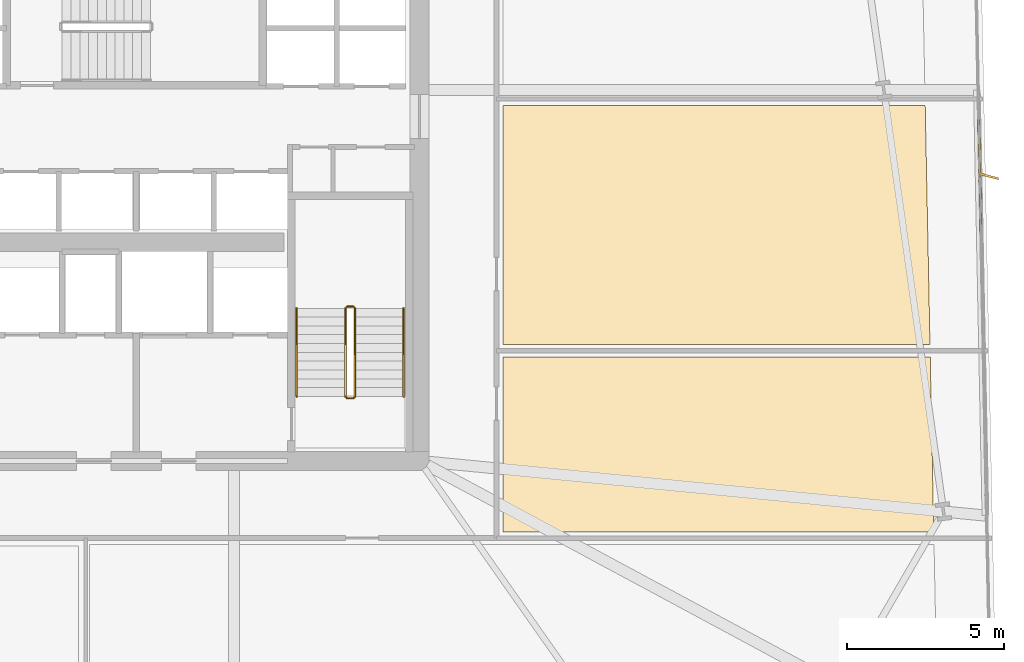
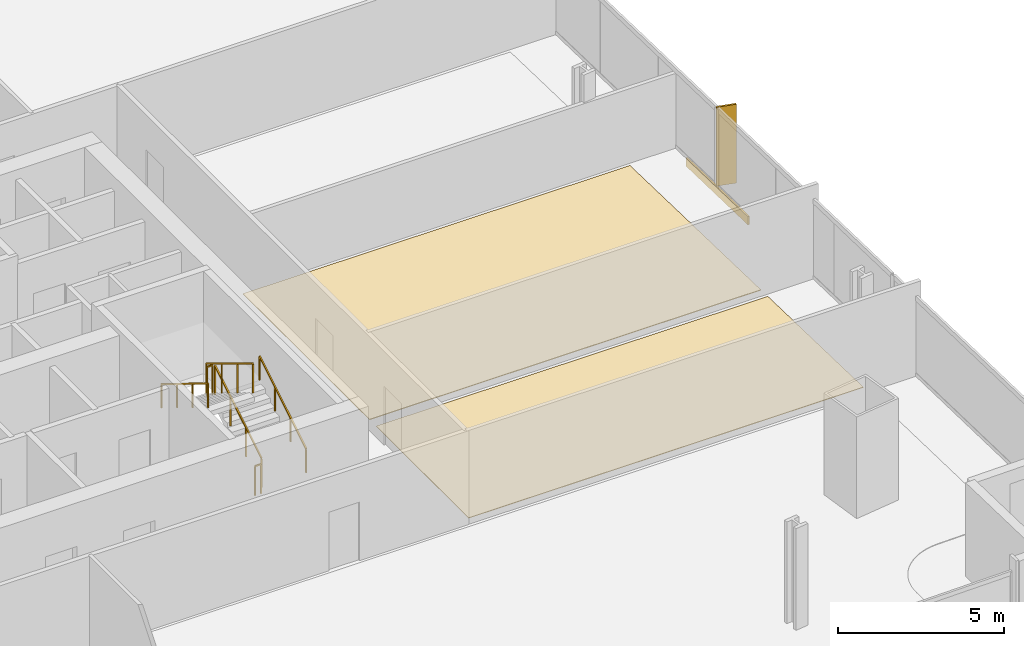
# One storey, part 34 of 35: 6 railings, 3 coverings, 1 shading device.
"""IFC4 building model written with IfcOpenShell, lengths in metres."""

from ifc_helpers import new_model, si_unit, direction, frame, origin, origin_2d, place, context, subcontext, project, spatial, polyline, rectangle, outline, extrude, source, transform, mapped, material, layer, layer_set, type_object, element, save


model = new_model("IFC4")

# Units and contexts
model_context = context("Model", 3, precision=1e-05, world=origin(), true_north=direction((0.0, 1.0)))
body_context = subcontext(model_context, "Body", "Model", "MODEL_VIEW")
ifc_project = project(units=[si_unit("LENGTHUNIT", "METRE"), si_unit("AREAUNIT", "SQUARE_METRE"), si_unit("VOLUMEUNIT", "CUBIC_METRE"), si_unit("PLANEANGLEUNIT", "RADIAN"), si_unit("MASSUNIT", "GRAM", prefix="KILO")], contexts=[model_context])

# Site, building, storey
site_placement = place(None, origin())
site = spatial("IfcSite", under=ifc_project, at=site_placement, CompositionType="ELEMENT")
building_placement = place(site_placement, origin())
building = spatial("IfcBuilding", under=site, at=building_placement, Name="Haldenkirk Collegiate Tower", CompositionType="ELEMENT")
storey_placement = place(building_placement, frame((0.0, 0.0, 32.699951171875)))
storey = spatial("IfcBuildingStorey", under=building, at=storey_placement, Name="L06", CompositionType="ELEMENT", Elevation=32.699951171875)

# Coverings
ifc_material_1 = material(Name="Polished collegiate terrazzo", Category="concrete")
ifc_layer_1 = layer(ifc_material_1, 0.02490234375)
ifc_layer_set_1 = layer_set([ifc_layer_1], Name="Polished collegiate terrazzo")
covering_type_1 = type_object("IfcCoveringType", Name="COV-FLOOR-TERRAZZO", PredefinedType="FLOORING", material=ifc_layer_set_1)
covering_1_placement = place(storey_placement, origin())
element("IfcCovering", 1, at=covering_1_placement, inside=storey, type_object=covering_type_1, Name="L06 academic room finish 10", PredefinedType="FLOORING", context=body_context, shape_type="SweptSolid", body=[
    extrude(outline(polyline([(61.221435546875, 21.699951171875), (47.64990234375, 21.699951171875), (47.64990234375, 29.300048828125), (61.06884765625, 29.300048828125), (61.221435546875, 21.699951171875)])), origin(), (0.0, 0.0, 1.0), 0.025146484375),
])
ifc_material_2 = material(Name="Engineered collegiate oak acoustic flooring", Category="wood")
ifc_layer_2 = layer(ifc_material_2, 0.02197265625)
ifc_layer_set_2 = layer_set([ifc_layer_2], Name="Engineered collegiate oak acoustic flooring")
covering_type_2 = type_object("IfcCoveringType", Name="COV-FLOOR-TIMBER", PredefinedType="FLOORING", material=ifc_layer_set_2)
covering_2_placement = place(storey_placement, origin())
element("IfcCovering", 2, at=covering_2_placement, inside=storey, type_object=covering_type_2, Name="L06 academic room finish 09", PredefinedType="FLOORING", context=body_context, shape_type="SweptSolid", body=[
    extrude(outline(polyline([(61.3408203125, 15.75), (47.64990234375, 15.75), (47.64990234375, 21.300048828125), (61.2294921875, 21.300048828125), (61.3408203125, 15.75)])), origin(), (0.0, 0.0, 1.0), 0.02197265625),
])

# Railings
ifc_material_3 = material(Name="Painted architectural tubular steel", Category="steel")
railing_type_1 = type_object("IfcRailingType", Name="RLG-STAIR-GUARD-1100", PredefinedType="BALUSTRADE", material=ifc_material_3)
railing_1_placement = place(storey_placement, frame((42.949951171875, 20.050048828125, 0.17041015625)))
element("IfcRailing", 3, at=railing_1_placement, inside=storey, type_object=railing_type_1, Name="L06 ST-2 stair guard 1", PredefinedType="BALUSTRADE", context=body_context, shape_type="SweptSolid", body=[
    extrude(rectangle(XDim=0.048095703125, YDim=0.048095703125, at=origin_2d()), frame((0.0, 0.0, 1.076171875), z_axis=(0.0, 0.854169791009, 0.51999420009), x_axis=(-1.0, 0.0, 0.0)), (0.0, 0.0, 1.0), 3.278076171875),
    extrude(rectangle(XDim=0.0419921875, YDim=0.0419921875, at=origin_2d()), origin(), (0.0, 0.0, 1.0), 1.052001953125),
    extrude(rectangle(XDim=0.0419921875, YDim=0.0419921875, at=origin_2d()), frame((0.0, 0.933349609375, 0.568115234375)), (0.0, 0.0, 1.0), 1.052001953125),
    extrude(rectangle(XDim=0.0419921875, YDim=0.0419921875, at=origin_2d()), frame((0.0, 1.86669921875, 1.136474609375)), (0.0, 0.0, 1.0), 1.052001953125),
    extrude(rectangle(XDim=0.0419921875, YDim=0.0419921875, at=origin_2d()), frame((0.0, 2.800048828125, 1.70458984375)), (0.0, 0.0, 1.0), 1.052001953125),
])
railing_2_placement = place(storey_placement, frame((42.89990234375, 22.89990234375, 1.875)))
element("IfcRailing", 4, at=railing_2_placement, inside=storey, type_object=railing_type_1, Name="L06 ST-2 stair guard 2", PredefinedType="BALUSTRADE", context=body_context, shape_type="SweptSolid", body=[
    extrude(rectangle(XDim=0.048095703125, YDim=0.048095703125, at=origin_2d()), frame((0.0, 0.0, 1.076171875), z_axis=(-1.0, 0.0, 0.0), x_axis=(0.0, -1.0, 0.0)), (0.0, 0.0, 1.0), 0.199951171875),
    extrude(rectangle(XDim=0.0419921875, YDim=0.0419921875, at=origin_2d()), origin(), (0.0, 0.0, 1.0), 1.052001953125),
    extrude(rectangle(XDim=0.0419921875, YDim=0.0419921875, at=origin_2d()), frame((-0.199951171875, 0.0, 0.0)), (0.0, 0.0, 1.0), 1.052001953125),
])
railing_3_placement = place(storey_placement, frame((42.64990234375, 22.85009765625, 2.04541015625)))
element("IfcRailing", 5, at=railing_3_placement, inside=storey, type_object=railing_type_1, Name="L06 ST-2 stair guard 3", PredefinedType="BALUSTRADE", context=body_context, shape_type="SweptSolid", body=[
    extrude(rectangle(XDim=0.048095703125, YDim=0.048095703125, at=origin_2d()), frame((0.0, 0.0, 1.076171875), z_axis=(0.0, -0.854169791009, 0.51999420009), x_axis=(1.0, 0.0, 0.0)), (0.0, 0.0, 1.0), 3.278076171875),
    extrude(rectangle(XDim=0.0419921875, YDim=0.0419921875, at=origin_2d()), origin(), (0.0, 0.0, 1.0), 1.052001953125),
    extrude(rectangle(XDim=0.0419921875, YDim=0.0419921875, at=origin_2d()), frame((0.0, -0.933349609375, 0.568115234375)), (0.0, 0.0, 1.0), 1.052001953125),
    extrude(rectangle(XDim=0.0419921875, YDim=0.0419921875, at=origin_2d()), frame((0.0, -1.86669921875, 1.136474609375)), (0.0, 0.0, 1.0), 1.052001953125),
    extrude(rectangle(XDim=0.0419921875, YDim=0.0419921875, at=origin_2d()), frame((0.0, -2.800048828125, 1.70458984375)), (0.0, 0.0, 1.0), 1.052001953125),
])
railing_4_placement = place(storey_placement, frame((42.89990234375, 20.0, 0.0)))
element("IfcRailing", 6, at=railing_4_placement, inside=storey, type_object=railing_type_1, Name="L06 ST-2 stair guard 4", PredefinedType="BALUSTRADE", context=body_context, shape_type="SweptSolid", body=[
    extrude(rectangle(XDim=0.048095703125, YDim=0.048095703125, at=origin_2d()), frame((0.0, 0.0, 1.076171875), z_axis=(-1.0, 0.0, 0.0), x_axis=(0.0, -1.0, 0.0)), (0.0, 0.0, 1.0), 0.199951171875),
    extrude(rectangle(XDim=0.0419921875, YDim=0.0419921875, at=origin_2d()), origin(), (0.0, 0.0, 1.0), 1.052001953125),
    extrude(rectangle(XDim=0.0419921875, YDim=0.0419921875, at=origin_2d()), frame((-0.199951171875, 0.0, 0.0)), (0.0, 0.0, 1.0), 1.052001953125),
])
railing_type_2 = type_object("IfcRailingType", Name="RLG-STAIR-HANDRAIL-900", PredefinedType="HANDRAIL", material=ifc_material_3)
railing_5_placement = place(storey_placement, frame((44.5, 20.050048828125, 0.17041015625)))
element("IfcRailing", 7, at=railing_5_placement, inside=storey, type_object=railing_type_2, Name="L06 ST-2 stair handrail 1", PredefinedType="HANDRAIL", context=body_context, shape_type="SweptSolid", body=[
    extrude(rectangle(XDim=0.048095703125, YDim=0.048095703125, at=origin_2d()), frame((0.0, 0.0, 0.8759765625), z_axis=(0.0, 0.854169791009, 0.51999420009), x_axis=(-1.0, 0.0, 0.0)), (0.0, 0.0, 1.0), 3.278076171875),
    extrude(rectangle(XDim=0.0419921875, YDim=0.0419921875, at=origin_2d()), origin(), (0.0, 0.0, 1.0), 0.851806640625),
    extrude(rectangle(XDim=0.0419921875, YDim=0.0419921875, at=origin_2d()), frame((0.0, 0.933349609375, 0.568115234375)), (0.0, 0.0, 1.0), 0.851806640625),
    extrude(rectangle(XDim=0.0419921875, YDim=0.0419921875, at=origin_2d()), frame((0.0, 1.86669921875, 1.136474609375)), (0.0, 0.0, 1.0), 0.851806640625),
    extrude(rectangle(XDim=0.0419921875, YDim=0.0419921875, at=origin_2d()), frame((0.0, 2.800048828125, 1.70458984375)), (0.0, 0.0, 1.0), 0.851806640625),
])
railing_6_placement = place(storey_placement, frame((41.10009765625, 22.85009765625, 2.04541015625)))
element("IfcRailing", 8, at=railing_6_placement, inside=storey, type_object=railing_type_2, Name="L06 ST-2 stair handrail 2", PredefinedType="HANDRAIL", context=body_context, shape_type="SweptSolid", body=[
    extrude(rectangle(XDim=0.048095703125, YDim=0.048095703125, at=origin_2d()), frame((0.0, 0.0, 0.8759765625), z_axis=(0.0, -0.854169791009, 0.51999420009), x_axis=(1.0, 0.0, 0.0)), (0.0, 0.0, 1.0), 3.278076171875),
    extrude(rectangle(XDim=0.0419921875, YDim=0.0419921875, at=origin_2d()), origin(), (0.0, 0.0, 1.0), 0.851806640625),
    extrude(rectangle(XDim=0.0419921875, YDim=0.0419921875, at=origin_2d()), frame((0.0, -0.933349609375, 0.568115234375)), (0.0, 0.0, 1.0), 0.851806640625),
    extrude(rectangle(XDim=0.0419921875, YDim=0.0419921875, at=origin_2d()), frame((0.0, -1.86669921875, 1.136474609375)), (0.0, 0.0, 1.0), 0.851806640625),
    extrude(rectangle(XDim=0.0419921875, YDim=0.0419921875, at=origin_2d()), frame((0.0, -2.800048828125, 1.70458984375)), (0.0, 0.0, 1.0), 0.851806640625),
])

# Covering
ifc_material_4 = material(Name="Anodised architectural bronze aluminium", Category="aluminium")
ifc_layer_3 = layer(ifc_material_4, 0.06005859375)
ifc_layer_set_3 = layer_set([ifc_layer_3], Name="Anodised architectural bronze aluminium")
covering_type_3 = type_object("IfcCoveringType", Name="COV-CLAD-BRONZE-60", PredefinedType="CLADDING", material=ifc_layer_set_3)
shared_shape_1 = source(origin(), body_context, "Body", "SweptSolid", [
    extrude(rectangle(XDim=3.60009765625, YDim=0.06005859375, at=origin_2d()), origin(), (0.0, 0.0, 1.0), 0.300048828125),
])
covering_3_placement = place(storey_placement, frame((62.804443359375, 27.0380859375, -0.2998046875), z_axis=(0.0, 0.0, 1.0), x_axis=(0.020069938784, -0.999798578493, 0.0)))
element("IfcCovering", 9, at=covering_3_placement, inside=storey, type_object=covering_type_3, Name="L06 architectural bronze spandrel cladding E", PredefinedType="CLADDING", context=body_context, shape_type="MappedRepresentation", body=[
    mapped(shared_shape_1, transform((0.0, 0.0, 0.0), x_axis=(1.0, 0.0, 0.0), y_axis=(0.0, 1.0, 0.0), z_axis=(0.0, 0.0, 1.0), scale=1.0)),
])

# Shading device
ifc_layer_4 = layer(ifc_material_4, 0.06494140625)
ifc_layer_set_4 = layer_set([ifc_layer_4], Name="Anodised architectural bronze aluminium")
shading_device_type = type_object("IfcShadingDeviceType", Name="SHD-FIN-BRONZE-620", PredefinedType="USERDEFINED", material=ifc_layer_set_4)
shared_shape_2 = source(origin(), body_context, "Body", "SweptSolid", [
    extrude(rectangle(XDim=0.6201171875, YDim=0.06494140625, at=origin_2d()), origin(), (0.0, 0.0, 1.0), 2.89111328125),
])
shading_device_placement = place(storey_placement, frame((63.099365234375, 27.044189453125, 0.0), z_axis=(0.0, 0.0, 1.0), x_axis=(0.966600102017, -0.256289373133, 0.0)))
element("IfcShadingDevice", 10, at=shading_device_placement, inside=storey, type_object=shading_device_type, Name="L06 folded bronze solar fin 1", ObjectType="FIN", PredefinedType="USERDEFINED", context=body_context, shape_type="MappedRepresentation", body=[
    mapped(shared_shape_2, transform((0.0, 0.0, 0.0), x_axis=(1.0, 0.0, 0.0), y_axis=(0.0, 1.0, 0.0), z_axis=(0.0, 0.0, 1.0), scale=1.0)),
])

save(model, "model.ifc")
